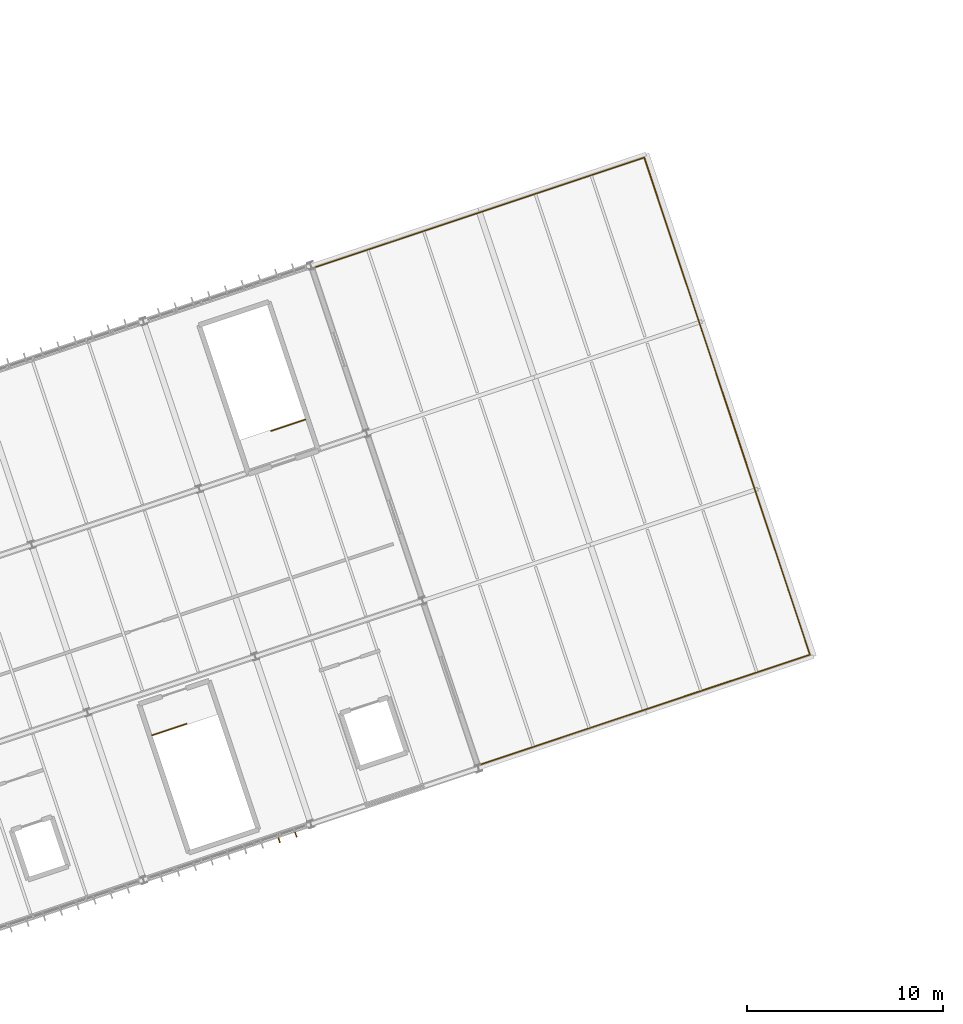
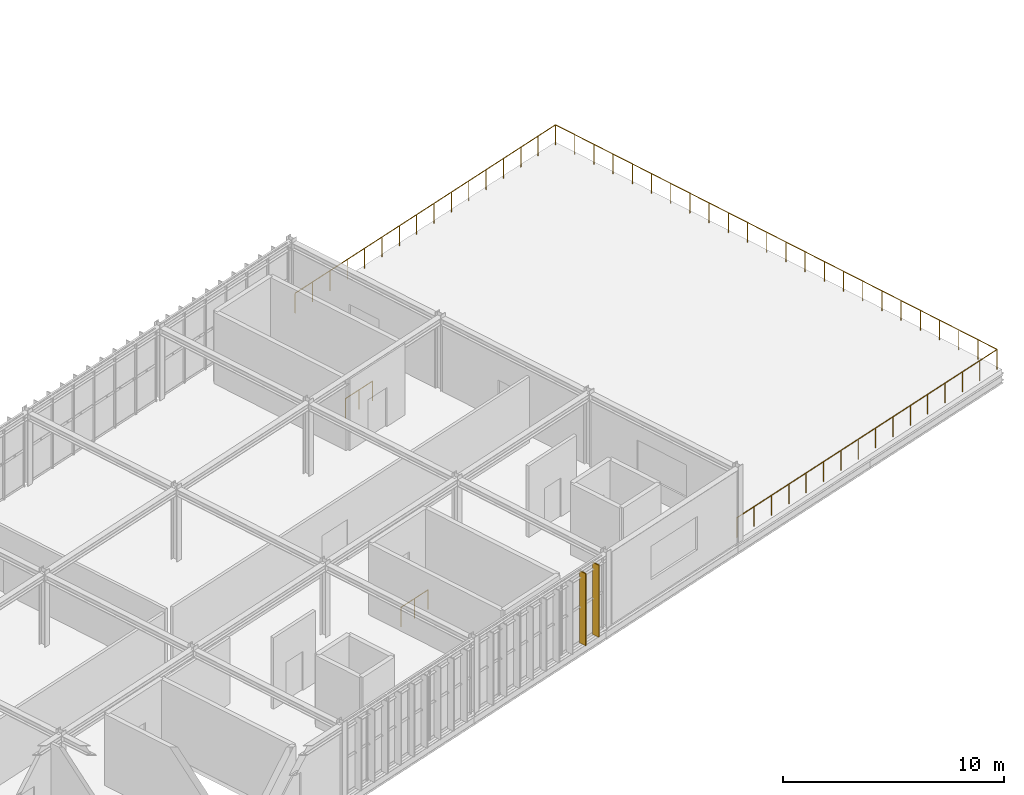
# One storey, part 56 of 61: 3 railings, 2 shading devices.
"""IFC4 building model written with IfcOpenShell, lengths in metres."""

from ifc_helpers import new_model, si_unit, derived_unit, direction, frame, origin, origin_2d, place, context, subcontext, project, spatial, rectangle, circle, extrude, material, layer, layer_set, type_object, element, save


model = new_model("IFC4")

# Units and contexts
model_context = context("Model", 3, precision=1e-05, world=origin(), true_north=direction((0.0, 1.0)))
body_context = subcontext(model_context, "Body", "Model", "MODEL_VIEW")
ifc_project = project(units=[si_unit("LENGTHUNIT", "METRE"), si_unit("AREAUNIT", "SQUARE_METRE"), si_unit("VOLUMEUNIT", "CUBIC_METRE"), si_unit("PLANEANGLEUNIT", "RADIAN"), si_unit("MASSUNIT", "GRAM", prefix="KILO"), si_unit("THERMODYNAMICTEMPERATUREUNIT", "KELVIN"), si_unit("TIMEUNIT", "SECOND"), derived_unit("THERMALTRANSMITTANCEUNIT", [(si_unit("MASSUNIT", "GRAM", prefix="KILO"), 1), (si_unit("THERMODYNAMICTEMPERATUREUNIT", "KELVIN"), -1), (si_unit("TIMEUNIT", "SECOND"), -3)])], contexts=[model_context])

# Site, building, storey
site_placement = place(None, origin())
site = spatial("IfcSite", under=ifc_project, at=site_placement, CompositionType="ELEMENT")
building_placement = place(site_placement, origin())
building = spatial("IfcBuilding", under=site, at=building_placement, Name="Cambertide Market Hall", CompositionType="ELEMENT")
storey_placement = place(building_placement, frame((0.0, 0.0, 9.89990234375)))
storey = spatial("IfcBuildingStorey", under=building, at=storey_placement, Name="L03", CompositionType="ELEMENT", Elevation=9.89990234375)

# Railings
ifc_material_1 = material(Name="Stainless Steel Grade 316", Category="metal")
railing_type_1 = type_object("IfcRailingType", Name="Exterior Terrace Balustrade Guardrail 1120", PredefinedType="GUARDRAIL", material=ifc_material_1)
railing_1_placement = place(storey_placement, frame((148.73828125, 26.404296875, 0.0)))
element("IfcRailing", 1, at=railing_1_placement, inside=storey, type_object=railing_type_1, Name="Level 3 East Breeze Terrace Guardrail", PredefinedType="GUARDRAIL", context=body_context, shape_type="SweptSolid", body=[
    extrude(circle(Radius=0.02392578125, at=origin_2d()), frame((0.0, 0.0, 1.09619140625), z_axis=(0.948683298051, 0.316227766017, 0.0), x_axis=(-0.316227766017, 0.948683298051, 0.0)), (0.0, 0.0, 1.0), 17.75),
    extrude(circle(Radius=0.02392578125, at=origin_2d()), frame((16.839111328125, 5.613037109375, 1.09619140625), z_axis=(-0.316230509167, 0.948682383663, 0.0), x_axis=(-0.948682383663, -0.316230509167, 0.0)), (0.0, 0.0, 1.0), 26.699951171875),
    extrude(circle(Radius=0.02392578125, at=origin_2d()), frame((8.395751953125, 30.94287109375, 1.09619140625), z_axis=(-0.948683298051, -0.316227766017, 0.0), x_axis=(0.316227766017, -0.948683298051, 0.0)), (0.0, 0.0, 1.0), 17.75),
    extrude(circle(Radius=0.02099609375, at=origin_2d()), origin(), (0.0, 0.0, 1.0), 1.072021484375),
    extrude(circle(Radius=0.02099609375, at=origin_2d()), frame((1.12255859375, 0.374267578125, 0.0)), (0.0, 0.0, 1.0), 1.072021484375),
    extrude(circle(Radius=0.02099609375, at=origin_2d()), frame((2.2451171875, 0.748291015625, 0.0)), (0.0, 0.0, 1.0), 1.072021484375),
    extrude(circle(Radius=0.02099609375, at=origin_2d()), frame((3.367919921875, 1.12255859375, 0.0)), (0.0, 0.0, 1.0), 1.072021484375),
    extrude(circle(Radius=0.02099609375, at=origin_2d()), frame((4.490478515625, 1.496826171875, 0.0)), (0.0, 0.0, 1.0), 1.072021484375),
    extrude(circle(Radius=0.02099609375, at=origin_2d()), frame((5.613037109375, 1.87109375, 0.0)), (0.0, 0.0, 1.0), 1.072021484375),
    extrude(circle(Radius=0.02099609375, at=origin_2d()), frame((6.735595703125, 2.2451171875, 0.0)), (0.0, 0.0, 1.0), 1.072021484375),
    extrude(circle(Radius=0.02099609375, at=origin_2d()), frame((7.858154296875, 2.619384765625, 0.0)), (0.0, 0.0, 1.0), 1.072021484375),
    extrude(circle(Radius=0.02099609375, at=origin_2d()), frame((8.98095703125, 2.99365234375, 0.0)), (0.0, 0.0, 1.0), 1.072021484375),
    extrude(circle(Radius=0.02099609375, at=origin_2d()), frame((10.103515625, 3.367919921875, 0.0)), (0.0, 0.0, 1.0), 1.072021484375),
    extrude(circle(Radius=0.02099609375, at=origin_2d()), frame((11.22607421875, 3.741943359375, 0.0)), (0.0, 0.0, 1.0), 1.072021484375),
    extrude(circle(Radius=0.02099609375, at=origin_2d()), frame((12.3486328125, 4.1162109375, 0.0)), (0.0, 0.0, 1.0), 1.072021484375),
    extrude(circle(Radius=0.02099609375, at=origin_2d()), frame((13.47119140625, 4.490478515625, 0.0)), (0.0, 0.0, 1.0), 1.072021484375),
    extrude(circle(Radius=0.02099609375, at=origin_2d()), frame((14.593994140625, 4.86474609375, 0.0)), (0.0, 0.0, 1.0), 1.072021484375),
    extrude(circle(Radius=0.02099609375, at=origin_2d()), frame((15.716552734375, 5.23876953125, 0.0)), (0.0, 0.0, 1.0), 1.072021484375),
    extrude(circle(Radius=0.02099609375, at=origin_2d()), frame((16.839111328125, 5.613037109375, 0.0)), (0.0, 0.0, 1.0), 1.072021484375),
    extrude(circle(Radius=0.02099609375, at=origin_2d()), frame((16.471923828125, 6.71435546875, 0.0)), (0.0, 0.0, 1.0), 1.072021484375),
    extrude(circle(Radius=0.02099609375, at=origin_2d()), frame((16.10498046875, 7.815673828125, 0.0)), (0.0, 0.0, 1.0), 1.072021484375),
    extrude(circle(Radius=0.02099609375, at=origin_2d()), frame((15.73779296875, 8.9169921875, 0.0)), (0.0, 0.0, 1.0), 1.072021484375),
    extrude(circle(Radius=0.02099609375, at=origin_2d()), frame((15.37060546875, 10.018310546875, 0.0)), (0.0, 0.0, 1.0), 1.072021484375),
    extrude(circle(Radius=0.02099609375, at=origin_2d()), frame((15.003662109375, 11.11962890625, 0.0)), (0.0, 0.0, 1.0), 1.072021484375),
    extrude(circle(Radius=0.02099609375, at=origin_2d()), frame((14.636474609375, 12.220703125, 0.0)), (0.0, 0.0, 1.0), 1.072021484375),
    extrude(circle(Radius=0.02099609375, at=origin_2d()), frame((14.269287109375, 13.322021484375, 0.0)), (0.0, 0.0, 1.0), 1.072021484375),
    extrude(circle(Radius=0.02099609375, at=origin_2d()), frame((13.90234375, 14.42333984375, 0.0)), (0.0, 0.0, 1.0), 1.072021484375),
    extrude(circle(Radius=0.02099609375, at=origin_2d()), frame((13.53515625, 15.524658203125, 0.0)), (0.0, 0.0, 1.0), 1.072021484375),
    extrude(circle(Radius=0.02099609375, at=origin_2d()), frame((13.16796875, 16.6259765625, 0.0)), (0.0, 0.0, 1.0), 1.072021484375),
    extrude(circle(Radius=0.02099609375, at=origin_2d()), frame((12.801025390625, 17.727294921875, 0.0)), (0.0, 0.0, 1.0), 1.072021484375),
    extrude(circle(Radius=0.02099609375, at=origin_2d()), frame((12.433837890625, 18.82861328125, 0.0)), (0.0, 0.0, 1.0), 1.072021484375),
    extrude(circle(Radius=0.02099609375, at=origin_2d()), frame((12.06689453125, 19.929931640625, 0.0)), (0.0, 0.0, 1.0), 1.072021484375),
    extrude(circle(Radius=0.02099609375, at=origin_2d()), frame((11.69970703125, 21.03125, 0.0)), (0.0, 0.0, 1.0), 1.072021484375),
    extrude(circle(Radius=0.02099609375, at=origin_2d()), frame((11.33251953125, 22.132568359375, 0.0)), (0.0, 0.0, 1.0), 1.072021484375),
    extrude(circle(Radius=0.02099609375, at=origin_2d()), frame((10.965576171875, 23.23388671875, 0.0)), (0.0, 0.0, 1.0), 1.072021484375),
    extrude(circle(Radius=0.02099609375, at=origin_2d()), frame((10.598388671875, 24.335205078125, 0.0)), (0.0, 0.0, 1.0), 1.072021484375),
    extrude(circle(Radius=0.02099609375, at=origin_2d()), frame((10.231201171875, 25.436279296875, 0.0)), (0.0, 0.0, 1.0), 1.072021484375),
    extrude(circle(Radius=0.02099609375, at=origin_2d()), frame((9.8642578125, 26.53759765625, 0.0)), (0.0, 0.0, 1.0), 1.072021484375),
    extrude(circle(Radius=0.02099609375, at=origin_2d()), frame((9.4970703125, 27.638916015625, 0.0)), (0.0, 0.0, 1.0), 1.072021484375),
    extrude(circle(Radius=0.02099609375, at=origin_2d()), frame((9.1298828125, 28.740234375, 0.0)), (0.0, 0.0, 1.0), 1.072021484375),
    extrude(circle(Radius=0.02099609375, at=origin_2d()), frame((8.762939453125, 29.841552734375, 0.0)), (0.0, 0.0, 1.0), 1.072021484375),
    extrude(circle(Radius=0.02099609375, at=origin_2d()), frame((8.395751953125, 30.94287109375, 0.0)), (0.0, 0.0, 1.0), 1.072021484375),
    extrude(circle(Radius=0.02099609375, at=origin_2d()), frame((7.273193359375, 30.568603515625, 0.0)), (0.0, 0.0, 1.0), 1.072021484375),
    extrude(circle(Radius=0.02099609375, at=origin_2d()), frame((6.150634765625, 30.194580078125, 0.0)), (0.0, 0.0, 1.0), 1.072021484375),
    extrude(circle(Radius=0.02099609375, at=origin_2d()), frame((5.02783203125, 29.8203125, 0.0)), (0.0, 0.0, 1.0), 1.072021484375),
    extrude(circle(Radius=0.02099609375, at=origin_2d()), frame((3.9052734375, 29.446044921875, 0.0)), (0.0, 0.0, 1.0), 1.072021484375),
    extrude(circle(Radius=0.02099609375, at=origin_2d()), frame((2.78271484375, 29.07177734375, 0.0)), (0.0, 0.0, 1.0), 1.072021484375),
    extrude(circle(Radius=0.02099609375, at=origin_2d()), frame((1.66015625, 28.69775390625, 0.0)), (0.0, 0.0, 1.0), 1.072021484375),
    extrude(circle(Radius=0.02099609375, at=origin_2d()), frame((0.53759765625, 28.323486328125, 0.0)), (0.0, 0.0, 1.0), 1.072021484375),
    extrude(circle(Radius=0.02099609375, at=origin_2d()), frame((-0.585205078125, 27.94921875, 0.0)), (0.0, 0.0, 1.0), 1.072021484375),
    extrude(circle(Radius=0.02099609375, at=origin_2d()), frame((-1.707763671875, 27.574951171875, 0.0)), (0.0, 0.0, 1.0), 1.072021484375),
    extrude(circle(Radius=0.02099609375, at=origin_2d()), frame((-2.830322265625, 27.200927734375, 0.0)), (0.0, 0.0, 1.0), 1.072021484375),
    extrude(circle(Radius=0.02099609375, at=origin_2d()), frame((-3.952880859375, 26.82666015625, 0.0)), (0.0, 0.0, 1.0), 1.072021484375),
    extrude(circle(Radius=0.02099609375, at=origin_2d()), frame((-5.075439453125, 26.452392578125, 0.0)), (0.0, 0.0, 1.0), 1.072021484375),
    extrude(circle(Radius=0.02099609375, at=origin_2d()), frame((-6.1982421875, 26.078125, 0.0)), (0.0, 0.0, 1.0), 1.072021484375),
    extrude(circle(Radius=0.02099609375, at=origin_2d()), frame((-7.32080078125, 25.7041015625, 0.0)), (0.0, 0.0, 1.0), 1.072021484375),
    extrude(circle(Radius=0.02099609375, at=origin_2d()), frame((-8.443359375, 25.329833984375, 0.0)), (0.0, 0.0, 1.0), 1.072021484375),
])
ifc_material_2 = material(Name="Stainless Steel Grade 316", Category="metal")
railing_type_2 = type_object("IfcRailingType", Name="Stairwell Inner Guardrail 1100", PredefinedType="GUARDRAIL", material=ifc_material_2)
railing_2_placement = place(storey_placement, frame((132.05712890625, 27.90625, 0.0)))
element("IfcRailing", 2, at=railing_2_placement, inside=storey, type_object=railing_type_2, Name="Level 3 ST-06A top well guard 1", PredefinedType="GUARDRAIL", context=body_context, shape_type="SweptSolid", body=[
    extrude(circle(Radius=0.02392578125, at=origin_2d()), frame((0.0, 0.0, 1.076171875), z_axis=(0.948696493726, 0.316188176237, 0.0), x_axis=(-0.316188176237, 0.948696493726, 0.0)), (0.0, 0.0, 1.0), 1.85009765625),
    extrude(circle(Radius=0.02099609375, at=origin_2d()), origin(), (0.0, 0.0, 1.0), 1.052001953125),
    extrude(circle(Radius=0.02099609375, at=origin_2d()), frame((0.87744140625, 0.29248046875, 0.0)), (0.0, 0.0, 1.0), 1.052001953125),
    extrude(circle(Radius=0.02099609375, at=origin_2d()), frame((1.755126953125, 0.5849609375, 0.0)), (0.0, 0.0, 1.0), 1.052001953125),
])
railing_3_placement = place(storey_placement, frame((139.867919921875, 44.002197265625, 0.0)))
element("IfcRailing", 3, at=railing_3_placement, inside=storey, type_object=railing_type_2, Name="Level 3 ST-06B top well guard 1", PredefinedType="GUARDRAIL", context=body_context, shape_type="SweptSolid", body=[
    extrude(circle(Radius=0.02392578125, at=origin_2d()), frame((0.0, 0.0, 1.076171875), z_axis=(-0.948683298051, -0.316227766017, 0.0), x_axis=(0.316227766017, -0.948683298051, 0.0)), (0.0, 0.0, 1.0), 1.849853515625),
    extrude(circle(Radius=0.02099609375, at=origin_2d()), origin(), (0.0, 0.0, 1.0), 1.052001953125),
    extrude(circle(Radius=0.02099609375, at=origin_2d()), frame((-0.87744140625, -0.29248046875, 0.0)), (0.0, 0.0, 1.0), 1.052001953125),
    extrude(circle(Radius=0.02099609375, at=origin_2d()), frame((-1.7548828125, -0.5849609375, 0.0)), (0.0, 0.0, 1.0), 1.052001953125),
])

# Shading devices
ifc_material_3 = material(Name="Champagne Marine Anodized Aluminium 6063-T6 AA25", Category="aluminium")
ifc_layer = layer(ifc_material_3, 0.054931640625, Name="Wing Facade Vertical Sun Fin 380x55")
ifc_layer_set = layer_set([ifc_layer], Name="Champagne Marine Anodized Aluminium 6063-T6 AA25")
shading_device_type = type_object("IfcShadingDeviceType", Name="Wing Facade Vertical Sun Fin 380x55", PredefinedType="JALOUSIE", material=ifc_layer_set)
for number, where, z_axis, x_axis, name in (
    (4, (139.365234375, 22.900390625, 0.0), (0.0, 0.0, 1.0), (-0.948683286311, -0.316227801236, 0.0), "CW-V3S-L03-4 Vertical Fin 1"),
    (5, (138.511474609375, 22.61572265625, 0.0), (0.0, 0.0, 1.0), (-0.948683286311, -0.316227801236, 0.0), "CW-V3S-L03-4 Vertical Fin 2"),
):
    element("IfcShadingDevice", number, at=place(storey_placement, frame(where, z_axis=z_axis, x_axis=x_axis)), inside=storey, type_object=shading_device_type, Name=name, PredefinedType="JALOUSIE", context=body_context, shape_type="SweptSolid", body=[
        extrude(rectangle(XDim=0.054931640625, YDim=0.3798828125, at=origin_2d()), origin(), (0.0, 0.0, 1.0), 3.97998046875),
    ])

save(model, "model.ifc")
